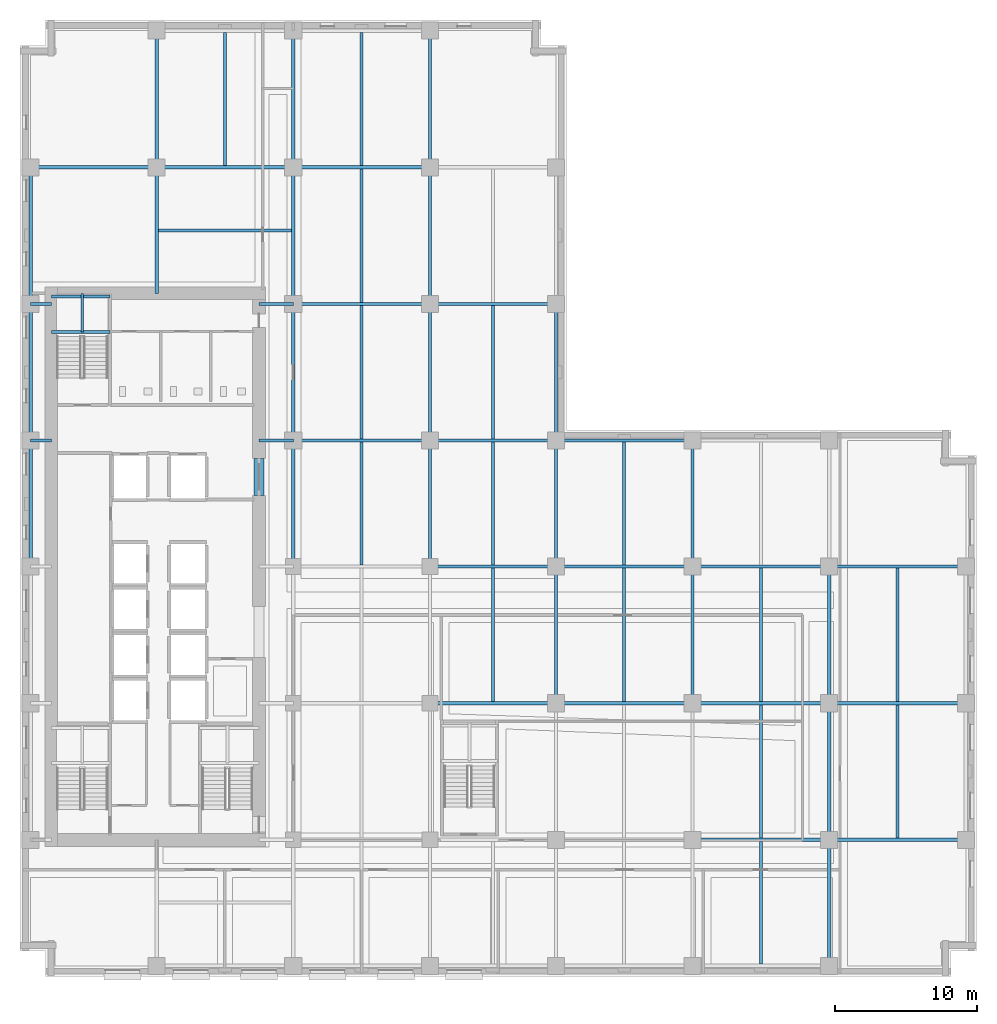
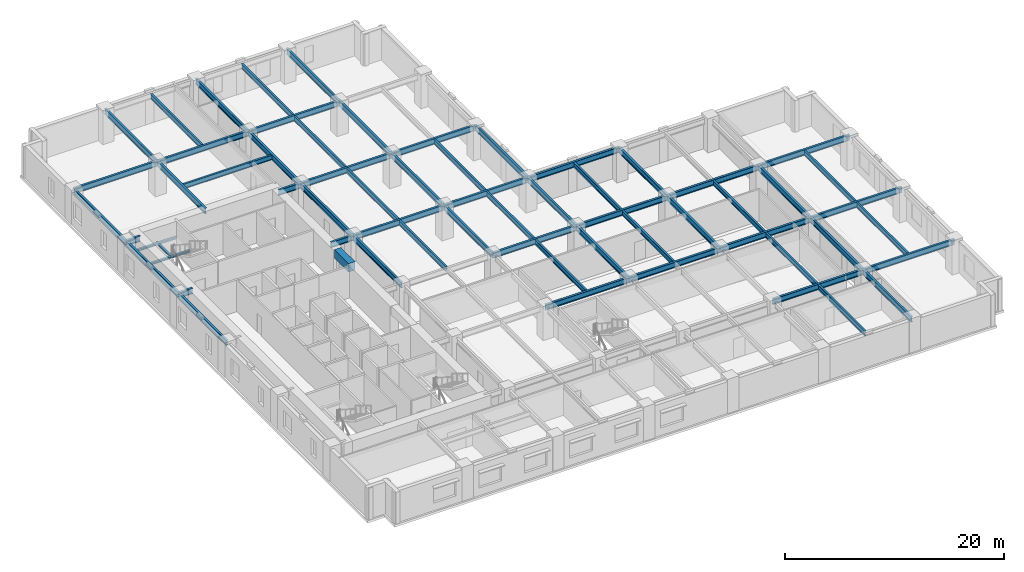
# One storey, part 2 of 14: 63 beams.
"""IFC4 building model written with IfcOpenShell, lengths in metres."""

from ifc_helpers import new_model, si_unit, direction, frame, origin, origin_2d, place, context, subcontext, project, spatial, rectangle, i_section, extrude, material, material_profile, profile_set, type_object, element, save


model = new_model("IFC4")

# Units and contexts
model_context = context("Model", 3, precision=1e-05, world=origin(), true_north=direction((0.0, 1.0)))
body_context = subcontext(model_context, "Body", "Model", "MODEL_VIEW")
ifc_project = project(units=[si_unit("LENGTHUNIT", "METRE"), si_unit("AREAUNIT", "SQUARE_METRE"), si_unit("VOLUMEUNIT", "CUBIC_METRE"), si_unit("PLANEANGLEUNIT", "RADIAN"), si_unit("MASSUNIT", "GRAM", prefix="KILO")], contexts=[model_context])

# Site, building, storey
site_placement = place(None, origin())
site = spatial("IfcSite", under=ifc_project, at=site_placement, CompositionType="ELEMENT")
building_placement = place(site_placement, origin())
building = spatial("IfcBuilding", under=site, at=building_placement, Name="Norrvale University Quadrangle", CompositionType="ELEMENT")
storey_placement = place(building_placement, frame((0.0, 0.0, 28.0)))
storey = spatial("IfcBuildingStorey", under=building, at=storey_placement, Name="L06", CompositionType="ELEMENT", Elevation=28.0)

# Beams
ifc_material_1 = material(Name="Concrete C80/95", Category="concrete")
ifc_material_profile_1 = material_profile(ifc_material_1, rectangle(XDim=0.699951171875, YDim=0.949951171875, at=origin_2d()), Name="Concrete C80/95")
ifc_profile_set_1 = profile_set([ifc_material_profile_1], Name="Concrete C80/95")
beam_type_1 = type_object("IfcBeamType", Name="Beam Core Link 700x950", PredefinedType="LINTEL", material=ifc_profile_set_1)
beam_1_placement = place(storey_placement, frame((16.800048828125, 33.800048828125, 3.06494140625), z_axis=(0.0, 1.0, 0.0), x_axis=(-1.0, 0.0, 0.0)))
element("IfcBeam", 1, at=beam_1_placement, inside=storey, type_object=beam_type_1, Name="Core Coupling Lintel Beam L06-2", PredefinedType="LINTEL", context=body_context, shape_type="SweptSolid", body=[
    extrude(rectangle(XDim=0.699951171875, YDim=0.949951171875, at=origin_2d()), origin(), (0.0, 0.0, 1.0), 2.599853515625),
])
ifc_material_2 = material(Name="Steel 350W", Category="steel")
ifc_material_profile_2 = material_profile(ifc_material_2, i_section(OverallWidth=0.208984375, OverallDepth=0.532958984375, WebThickness=0.01025390625, FlangeThickness=0.015625, FilletRadius=0.013916015625, at=origin_2d()), Name="Steel 350W")
ifc_profile_set_2 = profile_set([ifc_material_profile_2], Name="Steel 350W")
beam_type_2 = type_object("IfcBeamType", Name="Beam Floor W530x92", PredefinedType="JOIST", material=ifc_profile_set_2)
beam_2_placement = place(storey_placement, frame((14.39990234375, 56.965087890625, 3.2734375), z_axis=(0.0, 1.0, 0.0), x_axis=(-1.0, 0.0, 0.0)))
element("IfcBeam", 2, at=beam_2_placement, inside=storey, type_object=beam_type_2, Name="Beam Floor W530x92 BM-L06-J079", PredefinedType="JOIST", context=body_context, shape_type="SweptSolid", body=[
    extrude(i_section(OverallWidth=0.208984375, OverallDepth=0.532958984375, WebThickness=0.01025390625, FlangeThickness=0.015625, FilletRadius=0.013916015625, at=origin_2d()), origin(), (0.0, 0.0, 1.0), 9.369873046875),
])
beam_3_placement = place(storey_placement, frame((24.0, 28.9150390625, 3.2734375), z_axis=(0.0, 1.0, 0.0), x_axis=(-1.0, 0.0, 0.0)))
element("IfcBeam", 3, at=beam_3_placement, inside=storey, type_object=beam_type_2, Name="Beam Floor W530x92 BM-L06-J083", PredefinedType="JOIST", context=body_context, shape_type="SweptSolid", body=[
    extrude(i_section(OverallWidth=0.208984375, OverallDepth=0.532958984375, WebThickness=0.01025390625, FlangeThickness=0.015625, FilletRadius=0.013916015625, at=origin_2d()), origin(), (0.0, 0.0, 1.0), 8.619873046875),
])
for number, where, z_axis, x_axis, name in (
    (4, (24.0, 37.764892578125, 3.2734375), (0.0, 1.0, 0.0), (-1.0, 0.0, 0.0), "Beam Floor W530x92 BM-L06-J084"),
    (5, (24.0, 47.364990234375, 3.2734375), (0.0, 1.0, 0.0), (-1.0, 0.0, 0.0), "Beam Floor W530x92 BM-L06-J085"),
):
    element("IfcBeam", number, at=place(storey_placement, frame(where, z_axis=z_axis, x_axis=x_axis)), inside=storey, type_object=beam_type_2, Name=name, PredefinedType="JOIST", context=body_context, shape_type="SweptSolid", body=[
        extrude(i_section(OverallWidth=0.208984375, OverallDepth=0.532958984375, WebThickness=0.01025390625, FlangeThickness=0.015625, FilletRadius=0.013916015625, at=origin_2d()), origin(), (0.0, 0.0, 1.0), 9.3701171875),
    ])
beam_4_placement = place(storey_placement, frame((24.0, 56.965087890625, 3.2734375), z_axis=(0.0, 1.0, 0.0), x_axis=(-1.0, 0.0, 0.0)))
element("IfcBeam", 6, at=beam_4_placement, inside=storey, type_object=beam_type_2, Name="Beam Floor W530x92 BM-L06-J086", PredefinedType="JOIST", context=body_context, shape_type="SweptSolid", body=[
    extrude(i_section(OverallWidth=0.208984375, OverallDepth=0.532958984375, WebThickness=0.01025390625, FlangeThickness=0.015625, FilletRadius=0.013916015625, at=origin_2d()), origin(), (0.0, 0.0, 1.0), 9.369873046875),
])
beam_5_placement = place(storey_placement, frame((33.22509765625, 19.31494140625, 3.2734375), z_axis=(0.0, 1.0, 0.0), x_axis=(-1.0, 0.0, 0.0)))
element("IfcBeam", 7, at=beam_5_placement, inside=storey, type_object=beam_type_2, Name="Beam Floor W530x92 BM-L06-J088", PredefinedType="JOIST", context=body_context, shape_type="SweptSolid", body=[
    extrude(i_section(OverallWidth=0.208984375, OverallDepth=0.532958984375, WebThickness=0.01025390625, FlangeThickness=0.015625, FilletRadius=0.013916015625, at=origin_2d()), origin(), (0.0, 0.0, 1.0), 9.3701171875),
])
beam_6_placement = place(storey_placement, frame((33.22509765625, 28.9150390625, 3.2734375), z_axis=(0.0, 1.0, 0.0), x_axis=(-1.0, 0.0, 0.0)))
element("IfcBeam", 8, at=beam_6_placement, inside=storey, type_object=beam_type_2, Name="Beam Floor W530x92 BM-L06-J089", PredefinedType="JOIST", context=body_context, shape_type="SweptSolid", body=[
    extrude(i_section(OverallWidth=0.208984375, OverallDepth=0.532958984375, WebThickness=0.01025390625, FlangeThickness=0.015625, FilletRadius=0.013916015625, at=origin_2d()), origin(), (0.0, 0.0, 1.0), 8.619873046875),
])
for number, where, z_axis, x_axis, name in (
    (9, (33.22509765625, 37.764892578125, 3.2734375), (0.0, 1.0, 0.0), (-1.0, 0.0, 0.0), "Beam Floor W530x92 BM-L06-J090"),
    (10, (42.449951171875, 19.31494140625, 3.2734375), (0.0, 1.0, 0.0), (-1.0, 0.0, 0.0), "Beam Floor W530x92 BM-L06-J094"),
):
    element("IfcBeam", number, at=place(storey_placement, frame(where, z_axis=z_axis, x_axis=x_axis)), inside=storey, type_object=beam_type_2, Name=name, PredefinedType="JOIST", context=body_context, shape_type="SweptSolid", body=[
        extrude(i_section(OverallWidth=0.208984375, OverallDepth=0.532958984375, WebThickness=0.01025390625, FlangeThickness=0.015625, FilletRadius=0.013916015625, at=origin_2d()), origin(), (0.0, 0.0, 1.0), 9.3701171875),
    ])
beam_7_placement = place(storey_placement, frame((42.449951171875, 28.9150390625, 3.2734375), z_axis=(0.0, 1.0, 0.0), x_axis=(-1.0, 0.0, 0.0)))
element("IfcBeam", 11, at=beam_7_placement, inside=storey, type_object=beam_type_2, Name="Beam Floor W530x92 BM-L06-J095", PredefinedType="JOIST", context=body_context, shape_type="SweptSolid", body=[
    extrude(i_section(OverallWidth=0.208984375, OverallDepth=0.532958984375, WebThickness=0.01025390625, FlangeThickness=0.015625, FilletRadius=0.013916015625, at=origin_2d()), origin(), (0.0, 0.0, 1.0), 8.619873046875),
])
beam_8_placement = place(storey_placement, frame((52.050048828125, 0.864990234375, 3.2734375), z_axis=(0.0, 1.0, 0.0), x_axis=(-1.0, 0.0, 0.0)))
element("IfcBeam", 12, at=beam_8_placement, inside=storey, type_object=beam_type_2, Name="Beam Floor W530x92 BM-L06-J096", PredefinedType="JOIST", context=body_context, shape_type="SweptSolid", body=[
    extrude(i_section(OverallWidth=0.208984375, OverallDepth=0.532958984375, WebThickness=0.01025390625, FlangeThickness=0.015625, FilletRadius=0.013916015625, at=origin_2d()), origin(), (0.0, 0.0, 1.0), 8.6201171875),
])
beam_9_placement = place(storey_placement, frame((52.050048828125, 9.715087890625, 3.2734375), z_axis=(0.0, 1.0, 0.0), x_axis=(-1.0, 0.0, 0.0)))
element("IfcBeam", 13, at=beam_9_placement, inside=storey, type_object=beam_type_2, Name="Beam Floor W530x92 BM-L06-J097", PredefinedType="JOIST", context=body_context, shape_type="SweptSolid", body=[
    extrude(i_section(OverallWidth=0.208984375, OverallDepth=0.532958984375, WebThickness=0.01025390625, FlangeThickness=0.015625, FilletRadius=0.013916015625, at=origin_2d()), origin(), (0.0, 0.0, 1.0), 9.369873046875),
])
beam_10_placement = place(storey_placement, frame((52.050048828125, 19.31494140625, 3.2734375), z_axis=(0.0, 1.0, 0.0), x_axis=(-1.0, 0.0, 0.0)))
element("IfcBeam", 14, at=beam_10_placement, inside=storey, type_object=beam_type_2, Name="Beam Floor W530x92 BM-L06-J098", PredefinedType="JOIST", context=body_context, shape_type="SweptSolid", body=[
    extrude(i_section(OverallWidth=0.208984375, OverallDepth=0.532958984375, WebThickness=0.01025390625, FlangeThickness=0.015625, FilletRadius=0.013916015625, at=origin_2d()), origin(), (0.0, 0.0, 1.0), 9.3701171875),
])
beam_11_placement = place(storey_placement, frame((61.64990234375, 9.715087890625, 3.2734375), z_axis=(0.0, 1.0, 0.0), x_axis=(-1.0, 0.0, 0.0)))
element("IfcBeam", 15, at=beam_11_placement, inside=storey, type_object=beam_type_2, Name="Beam Floor W530x92 BM-L06-J100", PredefinedType="JOIST", context=body_context, shape_type="SweptSolid", body=[
    extrude(i_section(OverallWidth=0.208984375, OverallDepth=0.532958984375, WebThickness=0.01025390625, FlangeThickness=0.015625, FilletRadius=0.013916015625, at=origin_2d()), origin(), (0.0, 0.0, 1.0), 9.369873046875),
])
beam_12_placement = place(storey_placement, frame((61.64990234375, 19.31494140625, 3.2734375), z_axis=(0.0, 1.0, 0.0), x_axis=(-1.0, 0.0, 0.0)))
element("IfcBeam", 16, at=beam_12_placement, inside=storey, type_object=beam_type_2, Name="Beam Floor W530x92 BM-L06-J101", PredefinedType="JOIST", context=body_context, shape_type="SweptSolid", body=[
    extrude(i_section(OverallWidth=0.208984375, OverallDepth=0.532958984375, WebThickness=0.01025390625, FlangeThickness=0.015625, FilletRadius=0.013916015625, at=origin_2d()), origin(), (0.0, 0.0, 1.0), 9.3701171875),
])
beam_13_placement = place(storey_placement, frame((9.715087890625, 52.39990234375, 3.2734375), z_axis=(1.0, 0.0, 0.0), x_axis=(0.0, 1.0, 0.0)))
element("IfcBeam", 17, at=beam_13_placement, inside=storey, type_object=beam_type_2, Name="Beam Floor W530x92 BM-L06-JCN105", PredefinedType="JOIST", context=body_context, shape_type="SweptSolid", body=[
    extrude(i_section(OverallWidth=0.208984375, OverallDepth=0.532958984375, WebThickness=0.01025390625, FlangeThickness=0.015625, FilletRadius=0.013916015625, at=origin_2d()), origin(), (0.0, 0.0, 1.0), 9.369873046875),
])
ifc_material_profile_3 = material_profile(ifc_material_2, i_section(OverallWidth=0.22998046875, OverallDepth=0.616943359375, WebThickness=0.01318359375, FlangeThickness=0.022216796875, FilletRadius=0.01611328125, at=origin_2d()), Name="Steel 350W")
ifc_profile_set_3 = profile_set([ifc_material_profile_3], Name="Steel 350W")
beam_type_3 = type_object("IfcBeamType", Name="Beam Floor W610x140", PredefinedType="BEAM", material=ifc_profile_set_3)
beam_14_placement = place(storey_placement, frame((47.25, 9.60009765625, 3.2314453125), z_axis=(1.0, 0.0, 0.0), x_axis=(0.0, 1.0, 0.0)))
element("IfcBeam", 18, at=beam_14_placement, inside=storey, type_object=beam_type_3, Name="Beam Floor W610x140 BM-L06-GX009", PredefinedType="BEAM", context=body_context, shape_type="SweptSolid", body=[
    extrude(i_section(OverallWidth=0.22998046875, OverallDepth=0.616943359375, WebThickness=0.01318359375, FlangeThickness=0.022216796875, FilletRadius=0.01611328125, at=origin_2d()), origin(), (0.0, 0.0, 1.0), 9.60009765625),
])
beam_15_placement = place(storey_placement, frame((56.85009765625, 9.60009765625, 3.2314453125), z_axis=(1.0, 0.0, 0.0), x_axis=(0.0, 1.0, 0.0)))
element("IfcBeam", 19, at=beam_15_placement, inside=storey, type_object=beam_type_3, Name="Beam Floor W610x140 BM-L06-GX010", PredefinedType="BEAM", context=body_context, shape_type="SweptSolid", body=[
    extrude(i_section(OverallWidth=0.22998046875, OverallDepth=0.616943359375, WebThickness=0.01318359375, FlangeThickness=0.022216796875, FilletRadius=0.01611328125, at=origin_2d()), origin(), (0.0, 0.0, 1.0), 9.599853515625),
])
beam_16_placement = place(storey_placement, frame((28.800048828125, 19.199951171875, 3.2314453125), z_axis=(1.0, 0.0, 0.0), x_axis=(0.0, 1.0, 0.0)))
element("IfcBeam", 20, at=beam_16_placement, inside=storey, type_object=beam_type_3, Name="Beam Floor W610x140 BM-L06-GX012", PredefinedType="BEAM", context=body_context, shape_type="SweptSolid", body=[
    extrude(i_section(OverallWidth=0.22998046875, OverallDepth=0.616943359375, WebThickness=0.01318359375, FlangeThickness=0.022216796875, FilletRadius=0.01611328125, at=origin_2d()), origin(), (0.0, 0.0, 1.0), 8.849853515625),
])
for number, where, z_axis, x_axis, name in (
    (21, (37.64990234375, 19.199951171875, 3.2314453125), (1.0, 0.0, 0.0), (0.0, 1.0, 0.0), "Beam Floor W610x140 BM-L06-GX013"),
    (22, (47.25, 19.199951171875, 3.2314453125), (1.0, 0.0, 0.0), (0.0, 1.0, 0.0), "Beam Floor W610x140 BM-L06-GX014"),
):
    element("IfcBeam", number, at=place(storey_placement, frame(where, z_axis=z_axis, x_axis=x_axis)), inside=storey, type_object=beam_type_3, Name=name, PredefinedType="BEAM", context=body_context, shape_type="SweptSolid", body=[
        extrude(i_section(OverallWidth=0.22998046875, OverallDepth=0.616943359375, WebThickness=0.01318359375, FlangeThickness=0.022216796875, FilletRadius=0.01611328125, at=origin_2d()), origin(), (0.0, 0.0, 1.0), 9.60009765625),
    ])
beam_17_placement = place(storey_placement, frame((56.85009765625, 19.199951171875, 3.2314453125), z_axis=(1.0, 0.0, 0.0), x_axis=(0.0, 1.0, 0.0)))
element("IfcBeam", 23, at=beam_17_placement, inside=storey, type_object=beam_type_3, Name="Beam Floor W610x140 BM-L06-GX015", PredefinedType="BEAM", context=body_context, shape_type="SweptSolid", body=[
    extrude(i_section(OverallWidth=0.22998046875, OverallDepth=0.616943359375, WebThickness=0.01318359375, FlangeThickness=0.022216796875, FilletRadius=0.01611328125, at=origin_2d()), origin(), (0.0, 0.0, 1.0), 9.599853515625),
])
beam_18_placement = place(storey_placement, frame((28.800048828125, 28.800048828125, 3.2314453125), z_axis=(1.0, 0.0, 0.0), x_axis=(0.0, 1.0, 0.0)))
element("IfcBeam", 24, at=beam_18_placement, inside=storey, type_object=beam_type_3, Name="Beam Floor W610x140 BM-L06-GX017", PredefinedType="BEAM", context=body_context, shape_type="SweptSolid", body=[
    extrude(i_section(OverallWidth=0.22998046875, OverallDepth=0.616943359375, WebThickness=0.01318359375, FlangeThickness=0.022216796875, FilletRadius=0.01611328125, at=origin_2d()), origin(), (0.0, 0.0, 1.0), 8.849853515625),
])
for number, where, z_axis, x_axis, name in (
    (25, (37.64990234375, 28.800048828125, 3.2314453125), (1.0, 0.0, 0.0), (0.0, 1.0, 0.0), "Beam Floor W610x140 BM-L06-GX018"),
    (26, (47.25, 28.800048828125, 3.2314453125), (1.0, 0.0, 0.0), (0.0, 1.0, 0.0), "Beam Floor W610x140 BM-L06-GX019"),
):
    element("IfcBeam", number, at=place(storey_placement, frame(where, z_axis=z_axis, x_axis=x_axis)), inside=storey, type_object=beam_type_3, Name=name, PredefinedType="BEAM", context=body_context, shape_type="SweptSolid", body=[
        extrude(i_section(OverallWidth=0.22998046875, OverallDepth=0.616943359375, WebThickness=0.01318359375, FlangeThickness=0.022216796875, FilletRadius=0.01611328125, at=origin_2d()), origin(), (0.0, 0.0, 1.0), 9.60009765625),
    ])
beam_19_placement = place(storey_placement, frame((56.85009765625, 28.800048828125, 3.2314453125), z_axis=(1.0, 0.0, 0.0), x_axis=(0.0, 1.0, 0.0)))
element("IfcBeam", 27, at=beam_19_placement, inside=storey, type_object=beam_type_3, Name="Beam Floor W610x140 BM-L06-GX020", PredefinedType="BEAM", context=body_context, shape_type="SweptSolid", body=[
    extrude(i_section(OverallWidth=0.22998046875, OverallDepth=0.616943359375, WebThickness=0.01318359375, FlangeThickness=0.022216796875, FilletRadius=0.01611328125, at=origin_2d()), origin(), (0.0, 0.0, 1.0), 9.599853515625),
])
beam_20_placement = place(storey_placement, frame((19.199951171875, 37.64990234375, 3.2314453125), z_axis=(1.0, 0.0, 0.0), x_axis=(0.0, 1.0, 0.0)))
element("IfcBeam", 28, at=beam_20_placement, inside=storey, type_object=beam_type_3, Name="Beam Floor W610x140 BM-L06-GX021", PredefinedType="BEAM", context=body_context, shape_type="SweptSolid", body=[
    extrude(i_section(OverallWidth=0.22998046875, OverallDepth=0.616943359375, WebThickness=0.01318359375, FlangeThickness=0.022216796875, FilletRadius=0.01611328125, at=origin_2d()), origin(), (0.0, 0.0, 1.0), 9.60009765625),
])
beam_21_placement = place(storey_placement, frame((28.800048828125, 37.64990234375, 3.2314453125), z_axis=(1.0, 0.0, 0.0), x_axis=(0.0, 1.0, 0.0)))
element("IfcBeam", 29, at=beam_21_placement, inside=storey, type_object=beam_type_3, Name="Beam Floor W610x140 BM-L06-GX022", PredefinedType="BEAM", context=body_context, shape_type="SweptSolid", body=[
    extrude(i_section(OverallWidth=0.22998046875, OverallDepth=0.616943359375, WebThickness=0.01318359375, FlangeThickness=0.022216796875, FilletRadius=0.01611328125, at=origin_2d()), origin(), (0.0, 0.0, 1.0), 8.849853515625),
])
for number, where, z_axis, x_axis, name in (
    (30, (37.64990234375, 37.64990234375, 3.2314453125), (1.0, 0.0, 0.0), (0.0, 1.0, 0.0), "Beam Floor W610x140 BM-L06-GX023"),
    (31, (19.199951171875, 47.25, 3.2314453125), (1.0, 0.0, 0.0), (0.0, 1.0, 0.0), "Beam Floor W610x140 BM-L06-GX025"),
):
    element("IfcBeam", number, at=place(storey_placement, frame(where, z_axis=z_axis, x_axis=x_axis)), inside=storey, type_object=beam_type_3, Name=name, PredefinedType="BEAM", context=body_context, shape_type="SweptSolid", body=[
        extrude(i_section(OverallWidth=0.22998046875, OverallDepth=0.616943359375, WebThickness=0.01318359375, FlangeThickness=0.022216796875, FilletRadius=0.01611328125, at=origin_2d()), origin(), (0.0, 0.0, 1.0), 9.60009765625),
    ])
beam_22_placement = place(storey_placement, frame((28.800048828125, 47.25, 3.2314453125), z_axis=(1.0, 0.0, 0.0), x_axis=(0.0, 1.0, 0.0)))
element("IfcBeam", 32, at=beam_22_placement, inside=storey, type_object=beam_type_3, Name="Beam Floor W610x140 BM-L06-GX026", PredefinedType="BEAM", context=body_context, shape_type="SweptSolid", body=[
    extrude(i_section(OverallWidth=0.22998046875, OverallDepth=0.616943359375, WebThickness=0.01318359375, FlangeThickness=0.022216796875, FilletRadius=0.01611328125, at=origin_2d()), origin(), (0.0, 0.0, 1.0), 8.849853515625),
])
beam_23_placement = place(storey_placement, frame((0.75, 56.85009765625, 3.2314453125), z_axis=(1.0, 0.0, 0.0), x_axis=(0.0, 1.0, 0.0)))
element("IfcBeam", 33, at=beam_23_placement, inside=storey, type_object=beam_type_3, Name="Beam Floor W610x140 BM-L06-GX027", PredefinedType="BEAM", context=body_context, shape_type="SweptSolid", body=[
    extrude(i_section(OverallWidth=0.22998046875, OverallDepth=0.616943359375, WebThickness=0.01318359375, FlangeThickness=0.022216796875, FilletRadius=0.01611328125, at=origin_2d()), origin(), (0.0, 0.0, 1.0), 8.85009765625),
])
beam_24_placement = place(storey_placement, frame((9.60009765625, 56.85009765625, 3.2314453125), z_axis=(1.0, 0.0, 0.0), x_axis=(0.0, 1.0, 0.0)))
element("IfcBeam", 34, at=beam_24_placement, inside=storey, type_object=beam_type_3, Name="Beam Floor W610x140 BM-L06-GX028", PredefinedType="BEAM", context=body_context, shape_type="SweptSolid", body=[
    extrude(i_section(OverallWidth=0.22998046875, OverallDepth=0.616943359375, WebThickness=0.01318359375, FlangeThickness=0.022216796875, FilletRadius=0.01611328125, at=origin_2d()), origin(), (0.0, 0.0, 1.0), 9.599853515625),
])
beam_25_placement = place(storey_placement, frame((19.199951171875, 56.85009765625, 3.2314453125), z_axis=(1.0, 0.0, 0.0), x_axis=(0.0, 1.0, 0.0)))
element("IfcBeam", 35, at=beam_25_placement, inside=storey, type_object=beam_type_3, Name="Beam Floor W610x140 BM-L06-GX029", PredefinedType="BEAM", context=body_context, shape_type="SweptSolid", body=[
    extrude(i_section(OverallWidth=0.22998046875, OverallDepth=0.616943359375, WebThickness=0.01318359375, FlangeThickness=0.022216796875, FilletRadius=0.01611328125, at=origin_2d()), origin(), (0.0, 0.0, 1.0), 9.60009765625),
])
beam_26_placement = place(storey_placement, frame((0.75, 28.800048828125, 3.2314453125), z_axis=(0.0, 1.0, 0.0), x_axis=(-1.0, 0.0, 0.0)))
element("IfcBeam", 36, at=beam_26_placement, inside=storey, type_object=beam_type_3, Name="Beam Floor W610x140 BM-L06-GY035", PredefinedType="BEAM", context=body_context, shape_type="SweptSolid", body=[
    extrude(i_section(OverallWidth=0.22998046875, OverallDepth=0.616943359375, WebThickness=0.01318359375, FlangeThickness=0.022216796875, FilletRadius=0.01611328125, at=origin_2d()), origin(), (0.0, 0.0, 1.0), 8.849853515625),
])
for number, where, z_axis, x_axis, name in (
    (37, (0.75, 37.64990234375, 3.2314453125), (0.0, 1.0, 0.0), (-1.0, 0.0, 0.0), "Beam Floor W610x140 BM-L06-GY036"),
    (38, (0.75, 47.25, 3.2314453125), (0.0, 1.0, 0.0), (-1.0, 0.0, 0.0), "Beam Floor W610x140 BM-L06-GY037"),
):
    element("IfcBeam", number, at=place(storey_placement, frame(where, z_axis=z_axis, x_axis=x_axis)), inside=storey, type_object=beam_type_3, Name=name, PredefinedType="BEAM", context=body_context, shape_type="SweptSolid", body=[
        extrude(i_section(OverallWidth=0.22998046875, OverallDepth=0.616943359375, WebThickness=0.01318359375, FlangeThickness=0.022216796875, FilletRadius=0.01611328125, at=origin_2d()), origin(), (0.0, 0.0, 1.0), 9.60009765625),
    ])
beam_27_placement = place(storey_placement, frame((9.60009765625, 56.85009765625, 3.2314453125), z_axis=(0.0, 1.0, 0.0), x_axis=(-1.0, 0.0, 0.0)))
element("IfcBeam", 39, at=beam_27_placement, inside=storey, type_object=beam_type_3, Name="Beam Floor W610x140 BM-L06-GY038", PredefinedType="BEAM", context=body_context, shape_type="SweptSolid", body=[
    extrude(i_section(OverallWidth=0.22998046875, OverallDepth=0.616943359375, WebThickness=0.01318359375, FlangeThickness=0.022216796875, FilletRadius=0.01611328125, at=origin_2d()), origin(), (0.0, 0.0, 1.0), 9.599853515625),
])
beam_28_placement = place(storey_placement, frame((19.199951171875, 28.800048828125, 3.2314453125), z_axis=(0.0, 1.0, 0.0), x_axis=(-1.0, 0.0, 0.0)))
element("IfcBeam", 40, at=beam_28_placement, inside=storey, type_object=beam_type_3, Name="Beam Floor W610x140 BM-L06-GY042", PredefinedType="BEAM", context=body_context, shape_type="SweptSolid", body=[
    extrude(i_section(OverallWidth=0.22998046875, OverallDepth=0.616943359375, WebThickness=0.01318359375, FlangeThickness=0.022216796875, FilletRadius=0.01611328125, at=origin_2d()), origin(), (0.0, 0.0, 1.0), 8.849853515625),
])
for number, where, z_axis, x_axis, name in (
    (41, (19.199951171875, 37.64990234375, 3.2314453125), (0.0, 1.0, 0.0), (-1.0, 0.0, 0.0), "Beam Floor W610x140 BM-L06-GY043"),
    (42, (19.199951171875, 47.25, 3.2314453125), (0.0, 1.0, 0.0), (-1.0, 0.0, 0.0), "Beam Floor W610x140 BM-L06-GY044"),
):
    element("IfcBeam", number, at=place(storey_placement, frame(where, z_axis=z_axis, x_axis=x_axis)), inside=storey, type_object=beam_type_3, Name=name, PredefinedType="BEAM", context=body_context, shape_type="SweptSolid", body=[
        extrude(i_section(OverallWidth=0.22998046875, OverallDepth=0.616943359375, WebThickness=0.01318359375, FlangeThickness=0.022216796875, FilletRadius=0.01611328125, at=origin_2d()), origin(), (0.0, 0.0, 1.0), 9.60009765625),
    ])
beam_29_placement = place(storey_placement, frame((19.199951171875, 56.85009765625, 3.2314453125), z_axis=(0.0, 1.0, 0.0), x_axis=(-1.0, 0.0, 0.0)))
element("IfcBeam", 43, at=beam_29_placement, inside=storey, type_object=beam_type_3, Name="Beam Floor W610x140 BM-L06-GY045", PredefinedType="BEAM", context=body_context, shape_type="SweptSolid", body=[
    extrude(i_section(OverallWidth=0.22998046875, OverallDepth=0.616943359375, WebThickness=0.01318359375, FlangeThickness=0.022216796875, FilletRadius=0.01611328125, at=origin_2d()), origin(), (0.0, 0.0, 1.0), 9.599853515625),
])
beam_30_placement = place(storey_placement, frame((28.800048828125, 28.800048828125, 3.2314453125), z_axis=(0.0, 1.0, 0.0), x_axis=(-1.0, 0.0, 0.0)))
element("IfcBeam", 44, at=beam_30_placement, inside=storey, type_object=beam_type_3, Name="Beam Floor W610x140 BM-L06-GY049", PredefinedType="BEAM", context=body_context, shape_type="SweptSolid", body=[
    extrude(i_section(OverallWidth=0.22998046875, OverallDepth=0.616943359375, WebThickness=0.01318359375, FlangeThickness=0.022216796875, FilletRadius=0.01611328125, at=origin_2d()), origin(), (0.0, 0.0, 1.0), 8.849853515625),
])
for number, where, z_axis, x_axis, name in (
    (45, (28.800048828125, 37.64990234375, 3.2314453125), (0.0, 1.0, 0.0), (-1.0, 0.0, 0.0), "Beam Floor W610x140 BM-L06-GY050"),
    (46, (28.800048828125, 47.25, 3.2314453125), (0.0, 1.0, 0.0), (-1.0, 0.0, 0.0), "Beam Floor W610x140 BM-L06-GY051"),
):
    element("IfcBeam", number, at=place(storey_placement, frame(where, z_axis=z_axis, x_axis=x_axis)), inside=storey, type_object=beam_type_3, Name=name, PredefinedType="BEAM", context=body_context, shape_type="SweptSolid", body=[
        extrude(i_section(OverallWidth=0.22998046875, OverallDepth=0.616943359375, WebThickness=0.01318359375, FlangeThickness=0.022216796875, FilletRadius=0.01611328125, at=origin_2d()), origin(), (0.0, 0.0, 1.0), 9.60009765625),
    ])
beam_31_placement = place(storey_placement, frame((28.800048828125, 56.85009765625, 3.2314453125), z_axis=(0.0, 1.0, 0.0), x_axis=(-1.0, 0.0, 0.0)))
element("IfcBeam", 47, at=beam_31_placement, inside=storey, type_object=beam_type_3, Name="Beam Floor W610x140 BM-L06-GY052", PredefinedType="BEAM", context=body_context, shape_type="SweptSolid", body=[
    extrude(i_section(OverallWidth=0.22998046875, OverallDepth=0.616943359375, WebThickness=0.01318359375, FlangeThickness=0.022216796875, FilletRadius=0.01611328125, at=origin_2d()), origin(), (0.0, 0.0, 1.0), 9.599853515625),
])
beam_32_placement = place(storey_placement, frame((37.64990234375, 19.199951171875, 3.2314453125), z_axis=(0.0, 1.0, 0.0), x_axis=(-1.0, 0.0, 0.0)))
element("IfcBeam", 48, at=beam_32_placement, inside=storey, type_object=beam_type_3, Name="Beam Floor W610x140 BM-L06-GY055", PredefinedType="BEAM", context=body_context, shape_type="SweptSolid", body=[
    extrude(i_section(OverallWidth=0.22998046875, OverallDepth=0.616943359375, WebThickness=0.01318359375, FlangeThickness=0.022216796875, FilletRadius=0.01611328125, at=origin_2d()), origin(), (0.0, 0.0, 1.0), 9.60009765625),
])
beam_33_placement = place(storey_placement, frame((37.64990234375, 28.800048828125, 3.2314453125), z_axis=(0.0, 1.0, 0.0), x_axis=(-1.0, 0.0, 0.0)))
element("IfcBeam", 49, at=beam_33_placement, inside=storey, type_object=beam_type_3, Name="Beam Floor W610x140 BM-L06-GY056", PredefinedType="BEAM", context=body_context, shape_type="SweptSolid", body=[
    extrude(i_section(OverallWidth=0.22998046875, OverallDepth=0.616943359375, WebThickness=0.01318359375, FlangeThickness=0.022216796875, FilletRadius=0.01611328125, at=origin_2d()), origin(), (0.0, 0.0, 1.0), 8.849853515625),
])
for number, where, z_axis, x_axis, name in (
    (50, (37.64990234375, 37.64990234375, 3.2314453125), (0.0, 1.0, 0.0), (-1.0, 0.0, 0.0), "Beam Floor W610x140 BM-L06-GY057"),
    (51, (47.25, 19.199951171875, 3.2314453125), (0.0, 1.0, 0.0), (-1.0, 0.0, 0.0), "Beam Floor W610x140 BM-L06-GY061"),
):
    element("IfcBeam", number, at=place(storey_placement, frame(where, z_axis=z_axis, x_axis=x_axis)), inside=storey, type_object=beam_type_3, Name=name, PredefinedType="BEAM", context=body_context, shape_type="SweptSolid", body=[
        extrude(i_section(OverallWidth=0.22998046875, OverallDepth=0.616943359375, WebThickness=0.01318359375, FlangeThickness=0.022216796875, FilletRadius=0.01611328125, at=origin_2d()), origin(), (0.0, 0.0, 1.0), 9.60009765625),
    ])
beam_34_placement = place(storey_placement, frame((47.25, 28.800048828125, 3.2314453125), z_axis=(0.0, 1.0, 0.0), x_axis=(-1.0, 0.0, 0.0)))
element("IfcBeam", 52, at=beam_34_placement, inside=storey, type_object=beam_type_3, Name="Beam Floor W610x140 BM-L06-GY062", PredefinedType="BEAM", context=body_context, shape_type="SweptSolid", body=[
    extrude(i_section(OverallWidth=0.22998046875, OverallDepth=0.616943359375, WebThickness=0.01318359375, FlangeThickness=0.022216796875, FilletRadius=0.01611328125, at=origin_2d()), origin(), (0.0, 0.0, 1.0), 8.849853515625),
])
beam_35_placement = place(storey_placement, frame((56.85009765625, 0.75, 3.2314453125), z_axis=(0.0, 1.0, 0.0), x_axis=(-1.0, 0.0, 0.0)))
element("IfcBeam", 53, at=beam_35_placement, inside=storey, type_object=beam_type_3, Name="Beam Floor W610x140 BM-L06-GY063", PredefinedType="BEAM", context=body_context, shape_type="SweptSolid", body=[
    extrude(i_section(OverallWidth=0.22998046875, OverallDepth=0.616943359375, WebThickness=0.01318359375, FlangeThickness=0.022216796875, FilletRadius=0.01611328125, at=origin_2d()), origin(), (0.0, 0.0, 1.0), 8.85009765625),
])
beam_36_placement = place(storey_placement, frame((56.85009765625, 9.60009765625, 3.2314453125), z_axis=(0.0, 1.0, 0.0), x_axis=(-1.0, 0.0, 0.0)))
element("IfcBeam", 54, at=beam_36_placement, inside=storey, type_object=beam_type_3, Name="Beam Floor W610x140 BM-L06-GY064", PredefinedType="BEAM", context=body_context, shape_type="SweptSolid", body=[
    extrude(i_section(OverallWidth=0.22998046875, OverallDepth=0.616943359375, WebThickness=0.01318359375, FlangeThickness=0.022216796875, FilletRadius=0.01611328125, at=origin_2d()), origin(), (0.0, 0.0, 1.0), 9.599853515625),
])
beam_37_placement = place(storey_placement, frame((56.85009765625, 19.199951171875, 3.2314453125), z_axis=(0.0, 1.0, 0.0), x_axis=(-1.0, 0.0, 0.0)))
element("IfcBeam", 55, at=beam_37_placement, inside=storey, type_object=beam_type_3, Name="Beam Floor W610x140 BM-L06-GY065", PredefinedType="BEAM", context=body_context, shape_type="SweptSolid", body=[
    extrude(i_section(OverallWidth=0.22998046875, OverallDepth=0.616943359375, WebThickness=0.01318359375, FlangeThickness=0.022216796875, FilletRadius=0.01611328125, at=origin_2d()), origin(), (0.0, 0.0, 1.0), 9.60009765625),
])
beam_38_placement = place(storey_placement, frame((0.75, 37.64990234375, 3.2314453125), z_axis=(1.0, 0.0, 0.0), x_axis=(0.0, 1.0, 0.0)))
element("IfcBeam", 56, at=beam_38_placement, inside=storey, type_object=beam_type_3, Name="Beam Floor W610x140 BM-L06-GCW075", PredefinedType="BEAM", context=body_context, shape_type="SweptSolid", body=[
    extrude(i_section(OverallWidth=0.22998046875, OverallDepth=0.616943359375, WebThickness=0.01318359375, FlangeThickness=0.022216796875, FilletRadius=0.01611328125, at=origin_2d()), origin(), (0.0, 0.0, 1.0), 1.449951171875),
])
beam_39_placement = place(storey_placement, frame((16.800048828125, 37.64990234375, 3.2314453125), z_axis=(1.0, 0.0, 0.0), x_axis=(0.0, 1.0, 0.0)))
element("IfcBeam", 57, at=beam_39_placement, inside=storey, type_object=beam_type_3, Name="Beam Floor W610x140 BM-L06-GCE076", PredefinedType="BEAM", context=body_context, shape_type="SweptSolid", body=[
    extrude(i_section(OverallWidth=0.22998046875, OverallDepth=0.616943359375, WebThickness=0.01318359375, FlangeThickness=0.022216796875, FilletRadius=0.01611328125, at=origin_2d()), origin(), (0.0, 0.0, 1.0), 2.39990234375),
])
beam_40_placement = place(storey_placement, frame((0.75, 47.25, 3.2314453125), z_axis=(1.0, 0.0, 0.0), x_axis=(0.0, 1.0, 0.0)))
element("IfcBeam", 58, at=beam_40_placement, inside=storey, type_object=beam_type_3, Name="Beam Floor W610x140 BM-L06-GCW077", PredefinedType="BEAM", context=body_context, shape_type="SweptSolid", body=[
    extrude(i_section(OverallWidth=0.22998046875, OverallDepth=0.616943359375, WebThickness=0.01318359375, FlangeThickness=0.022216796875, FilletRadius=0.01611328125, at=origin_2d()), origin(), (0.0, 0.0, 1.0), 1.449951171875),
])
beam_41_placement = place(storey_placement, frame((16.800048828125, 47.25, 3.2314453125), z_axis=(1.0, 0.0, 0.0), x_axis=(0.0, 1.0, 0.0)))
element("IfcBeam", 59, at=beam_41_placement, inside=storey, type_object=beam_type_3, Name="Beam Floor W610x140 BM-L06-GCE078", PredefinedType="BEAM", context=body_context, shape_type="SweptSolid", body=[
    extrude(i_section(OverallWidth=0.22998046875, OverallDepth=0.616943359375, WebThickness=0.01318359375, FlangeThickness=0.022216796875, FilletRadius=0.01611328125, at=origin_2d()), origin(), (0.0, 0.0, 1.0), 2.39990234375),
])
beam_42_placement = place(storey_placement, frame((9.60009765625, 48.0, 3.2314453125), z_axis=(0.0, 1.0, 0.0), x_axis=(-1.0, 0.0, 0.0)))
element("IfcBeam", 60, at=beam_42_placement, inside=storey, type_object=beam_type_3, Name="Beam Floor W610x140 BM-L06-GCN104", PredefinedType="BEAM", context=body_context, shape_type="SweptSolid", body=[
    extrude(i_section(OverallWidth=0.22998046875, OverallDepth=0.616943359375, WebThickness=0.01318359375, FlangeThickness=0.022216796875, FilletRadius=0.01611328125, at=origin_2d()), origin(), (0.0, 0.0, 1.0), 8.85009765625),
])
ifc_material_profile_4 = material_profile(ifc_material_2, i_section(OverallWidth=0.201904296875, OverallDepth=0.2470703125, WebThickness=0.00732421875, FlangeThickness=0.010986328125, FilletRadius=0.011962890625, at=origin_2d()), Name="Steel 350W")
ifc_profile_set_4 = profile_set([ifc_material_profile_4], Name="Steel 350W")
beam_type_4 = type_object("IfcBeamType", Name="Beam Stair W250x49", PredefinedType="BEAM", material=ifc_profile_set_4)
for number, where, z_axis, x_axis, name in (
    (61, (2.199951171875, 45.2900390625, 1.576416015625), (1.0, 0.0, 0.0), (0.0, 1.0, 0.0), "Stair Mid-Landing Front Beam ST-02 L06"),
    (62, (2.199951171875, 47.77001953125, 1.576416015625), (1.0, 0.0, 0.0), (0.0, 1.0, 0.0), "Stair Mid-Landing Rear Beam ST-02 L06"),
):
    element("IfcBeam", number, at=place(storey_placement, frame(where, z_axis=z_axis, x_axis=x_axis)), inside=storey, type_object=beam_type_4, Name=name, PredefinedType="BEAM", context=body_context, shape_type="SweptSolid", body=[
        extrude(i_section(OverallWidth=0.201904296875, OverallDepth=0.2470703125, WebThickness=0.00732421875, FlangeThickness=0.010986328125, FilletRadius=0.011962890625, at=origin_2d()), origin(), (0.0, 0.0, 1.0), 4.14013671875),
    ])
ifc_material_profile_5 = material_profile(ifc_material_2, i_section(OverallWidth=0.202880859375, OverallDepth=0.202880859375, WebThickness=0.007080078125, FlangeThickness=0.010986328125, FilletRadius=0.010009765625, at=origin_2d()), Name="Steel 350W")
ifc_profile_set_5 = profile_set([ifc_material_profile_5], Name="Steel 350W")
beam_type_5 = type_object("IfcBeamType", Name="Beam Trim W200x46", PredefinedType="BEAM", material=ifc_profile_set_5)
beam_43_placement = place(storey_placement, frame((4.375, 45.2900390625, 1.598388671875), z_axis=(0.0, 1.0, 0.0), x_axis=(-1.0, 0.0, 0.0)))
element("IfcBeam", 63, at=beam_43_placement, inside=storey, type_object=beam_type_5, Name="Stair Mid-Landing Cross Beam ST-02 L06", PredefinedType="BEAM", context=body_context, shape_type="SweptSolid", body=[
    extrude(i_section(OverallWidth=0.202880859375, OverallDepth=0.202880859375, WebThickness=0.007080078125, FlangeThickness=0.010986328125, FilletRadius=0.010009765625, at=origin_2d()), origin(), (0.0, 0.0, 1.0), 2.7099609375),
])

save(model, "model.ifc")
